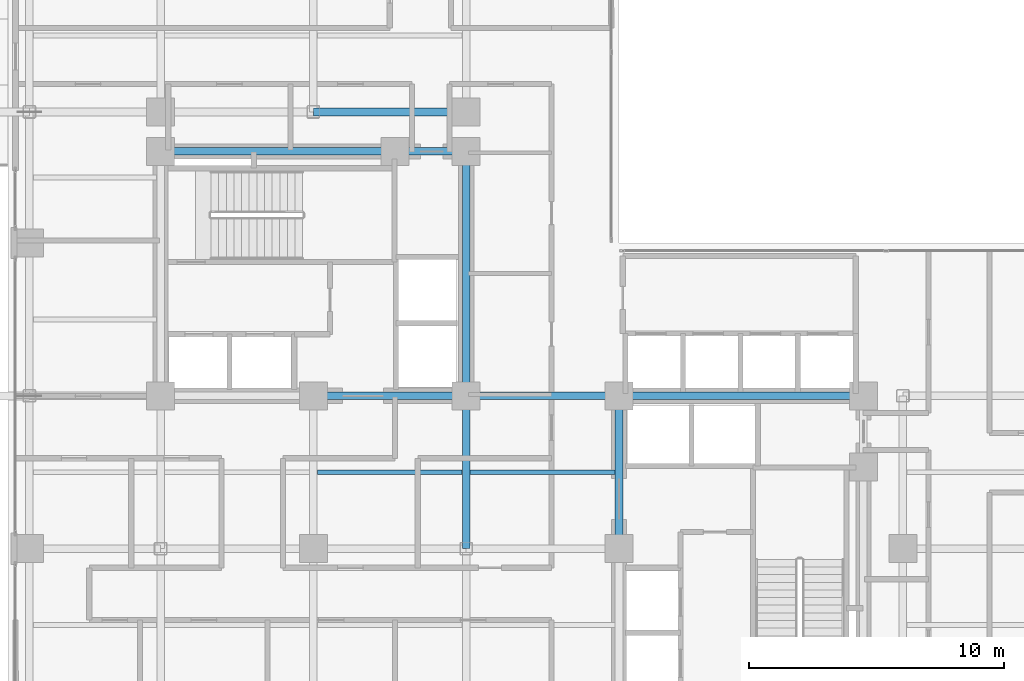
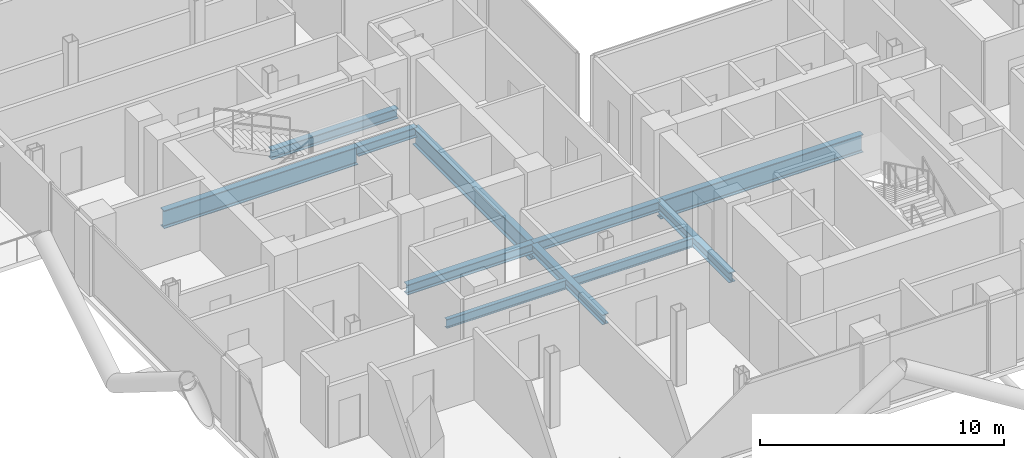
# One storey, part 8 of 28: 11 beams.
"""IFC4 building model written with IfcOpenShell, lengths in metres."""

from ifc_helpers import new_model, si_unit, direction, frame, origin, origin_2d, place, context, subcontext, project, spatial, i_section, extrude, material, material_profile, profile_set, type_object, element, save


model = new_model("IFC4")

# Units and contexts
model_context = context("Model", 3, precision=1e-05, world=origin(), true_north=direction((0.0, 1.0)))
body_context = subcontext(model_context, "Body", "Model", "MODEL_VIEW")
ifc_project = project(units=[si_unit("LENGTHUNIT", "METRE"), si_unit("AREAUNIT", "SQUARE_METRE"), si_unit("VOLUMEUNIT", "CUBIC_METRE"), si_unit("PLANEANGLEUNIT", "RADIAN"), si_unit("MASSUNIT", "GRAM", prefix="KILO"), si_unit("THERMODYNAMICTEMPERATUREUNIT", "KELVIN"), si_unit("POWERUNIT", "WATT")], contexts=[model_context])

# Site, building, storey
site_placement = place(None, origin())
site = spatial("IfcSite", under=ifc_project, at=site_placement, CompositionType="ELEMENT")
building_placement = place(site_placement, origin())
building = spatial("IfcBuilding", under=site, at=building_placement, Name="Svarakhadi Broadcast Tower", CompositionType="ELEMENT")
storey_placement = place(building_placement, frame((0.0, 0.0, 119.39990234375)))
storey = spatial("IfcBuildingStorey", under=building, at=storey_placement, Name="L28", CompositionType="ELEMENT", Elevation=119.39990234375)

# Beams
ifc_material_1 = material(Name="Steel S355J2 (IS 2062 E350C)", Category="steel")
ifc_material_profile_1 = material_profile(ifc_material_1, i_section(OverallWidth=0.18994140625, OverallDepth=0.449951171875, WebThickness=0.009521484375, FlangeThickness=0.0146484375, FilletRadius=0.02099609375, at=origin_2d()), Name="NPB 450x190x78")
ifc_profile_set_1 = profile_set([ifc_material_profile_1], Name="Steel S355J2 (IS 2062 E350C)")
beam_type_1 = type_object("IfcBeamType", Name="Beam_NPB450", PredefinedType="BEAM", material=ifc_profile_set_1)
for number, where, z_axis, x_axis, name in (
    (1, (12.159912109375, 15.0, -0.449951171875), (1.0, 0.0, 0.0), (0.0, 1.0, 0.0), "L28 Secondary Composite Beam SB013"),
    (2, (18.159912109375, 15.0, -0.449951171875), (1.0, 0.0, 0.0), (0.0, 1.0, 0.0), "L28 Secondary Composite Beam SB018"),
):
    element("IfcBeam", number, at=place(storey_placement, frame(where, z_axis=z_axis, x_axis=x_axis)), inside=storey, type_object=beam_type_1, Name=name, PredefinedType="BEAM", context=body_context, shape_type="SweptSolid", body=[
        extrude(i_section(OverallWidth=0.18994140625, OverallDepth=0.449951171875, WebThickness=0.009521484375, FlangeThickness=0.0146484375, FilletRadius=0.02099609375, at=origin_2d()), origin(), (0.0, 0.0, 1.0), 5.68017578125),
    ])
ifc_material_profile_2 = material_profile(ifc_material_1, i_section(OverallWidth=0.300048828125, OverallDepth=0.5, WebThickness=0.014404296875, FlangeThickness=0.028076171875, FilletRadius=0.027099609375, at=origin_2d()), Name="WPB 500x300x187")
ifc_profile_set_2 = profile_set([ifc_material_profile_2], Name="Steel S355J2 (IS 2062 E350C)")
beam_type_2 = type_object("IfcBeamType", Name="Girder_WPB500", PredefinedType="USERDEFINED", material=ifc_profile_set_2)
for number, where, z_axis, x_axis, name in (
    (3, (12.0, 18.0, -0.474853515625), (1.0, 0.0, 0.0), (0.0, 1.0, 0.0), "L28 Primary E-W Girder G025"),
    (4, (18.0, 18.0, -0.474853515625), (1.0, 0.0, 0.0), (0.0, 1.0, 0.0), "L28 Primary E-W Girder G026"),
):
    element("IfcBeam", number, at=place(storey_placement, frame(where, z_axis=z_axis, x_axis=x_axis)), inside=storey, type_object=beam_type_2, Name=name, ObjectType="GIRDER", PredefinedType="USERDEFINED", context=body_context, shape_type="SweptSolid", body=[
        extrude(i_section(OverallWidth=0.300048828125, OverallDepth=0.5, WebThickness=0.014404296875, FlangeThickness=0.028076171875, FilletRadius=0.027099609375, at=origin_2d()), origin(), (0.0, 0.0, 1.0), 6.0),
    ])
beam_1_placement = place(storey_placement, frame((15.199951171875, 27.60009765625, -0.474853515625), z_axis=(1.0, 0.0, 0.0), x_axis=(0.0, 1.0, 0.0)))
element("IfcBeam", 5, at=beam_1_placement, inside=storey, type_object=beam_type_2, Name="L28 Primary E-W Girder G031", ObjectType="GIRDER", PredefinedType="USERDEFINED", context=body_context, shape_type="SweptSolid", body=[
    extrude(i_section(OverallWidth=0.300048828125, OverallDepth=0.5, WebThickness=0.014404296875, FlangeThickness=0.028076171875, FilletRadius=0.027099609375, at=origin_2d()), origin(), (0.0, 0.0, 1.0), 2.800048828125),
])
for number, where, z_axis, x_axis, name in (
    (6, (12.0, 29.14990234375, -0.474853515625), (1.0, 0.0, 0.0), (0.0, 1.0, 0.0), "L28 Primary E-W Girder G034"),
    (7, (18.0, 12.0, -0.474853515625), (0.0, 1.0, 0.0), (-1.0, 0.0, 0.0), "L28 Primary N-S Girder G058"),
    (8, (24.0, 12.0, -0.474853515625), (0.0, 1.0, 0.0), (-1.0, 0.0, 0.0), "L28 Primary N-S Girder G064"),
):
    element("IfcBeam", number, at=place(storey_placement, frame(where, z_axis=z_axis, x_axis=x_axis)), inside=storey, type_object=beam_type_2, Name=name, ObjectType="GIRDER", PredefinedType="USERDEFINED", context=body_context, shape_type="SweptSolid", body=[
        extrude(i_section(OverallWidth=0.300048828125, OverallDepth=0.5, WebThickness=0.014404296875, FlangeThickness=0.028076171875, FilletRadius=0.027099609375, at=origin_2d()), origin(), (0.0, 0.0, 1.0), 6.0),
    ])
ifc_material_2 = material(Name="Steel S460ML (IS 2062 E450BR)", Category="steel")
ifc_material_profile_3 = material_profile(ifc_material_2, i_section(OverallWidth=0.300048828125, OverallDepth=0.89990234375, WebThickness=0.0185546875, FlangeThickness=0.034912109375, FilletRadius=0.030029296875, at=origin_2d()), Name="WPB 900x300x291")
ifc_profile_set_3 = profile_set([ifc_material_profile_3], Name="Steel S460ML (IS 2062 E450BR)")
beam_type_3 = type_object("IfcBeamType", Name="Girder_WPB900", PredefinedType="USERDEFINED", material=ifc_profile_set_3)
beam_2_placement = place(storey_placement, frame((24.0, 18.0, -0.6748046875), z_axis=(1.0, 0.0, 0.0), x_axis=(0.0, 1.0, 0.0)))
element("IfcBeam", 9, at=beam_2_placement, inside=storey, type_object=beam_type_3, Name="L28 Primary E-W Girder G027", ObjectType="GIRDER", PredefinedType="USERDEFINED", context=body_context, shape_type="SweptSolid", body=[
    extrude(i_section(OverallWidth=0.300048828125, OverallDepth=0.89990234375, WebThickness=0.0185546875, FlangeThickness=0.034912109375, FilletRadius=0.030029296875, at=origin_2d()), origin(), (0.0, 0.0, 1.0), 9.60009765625),
])
beam_3_placement = place(storey_placement, frame((6.0, 27.60009765625, -0.6748046875), z_axis=(1.0, 0.0, 0.0), x_axis=(0.0, 1.0, 0.0)))
element("IfcBeam", 10, at=beam_3_placement, inside=storey, type_object=beam_type_3, Name="L28 Primary E-W Girder G030", ObjectType="GIRDER", PredefinedType="USERDEFINED", context=body_context, shape_type="SweptSolid", body=[
    extrude(i_section(OverallWidth=0.300048828125, OverallDepth=0.89990234375, WebThickness=0.0185546875, FlangeThickness=0.034912109375, FilletRadius=0.030029296875, at=origin_2d()), origin(), (0.0, 0.0, 1.0), 9.199951171875),
])
beam_4_placement = place(storey_placement, frame((18.0, 18.0, -0.6748046875), z_axis=(0.0, 1.0, 0.0), x_axis=(-1.0, 0.0, 0.0)))
element("IfcBeam", 11, at=beam_4_placement, inside=storey, type_object=beam_type_3, Name="L28 Primary N-S Girder G059", ObjectType="GIRDER", PredefinedType="USERDEFINED", context=body_context, shape_type="SweptSolid", body=[
    extrude(i_section(OverallWidth=0.300048828125, OverallDepth=0.89990234375, WebThickness=0.0185546875, FlangeThickness=0.034912109375, FilletRadius=0.030029296875, at=origin_2d()), origin(), (0.0, 0.0, 1.0), 9.60009765625),
])

save(model, "model.ifc")
